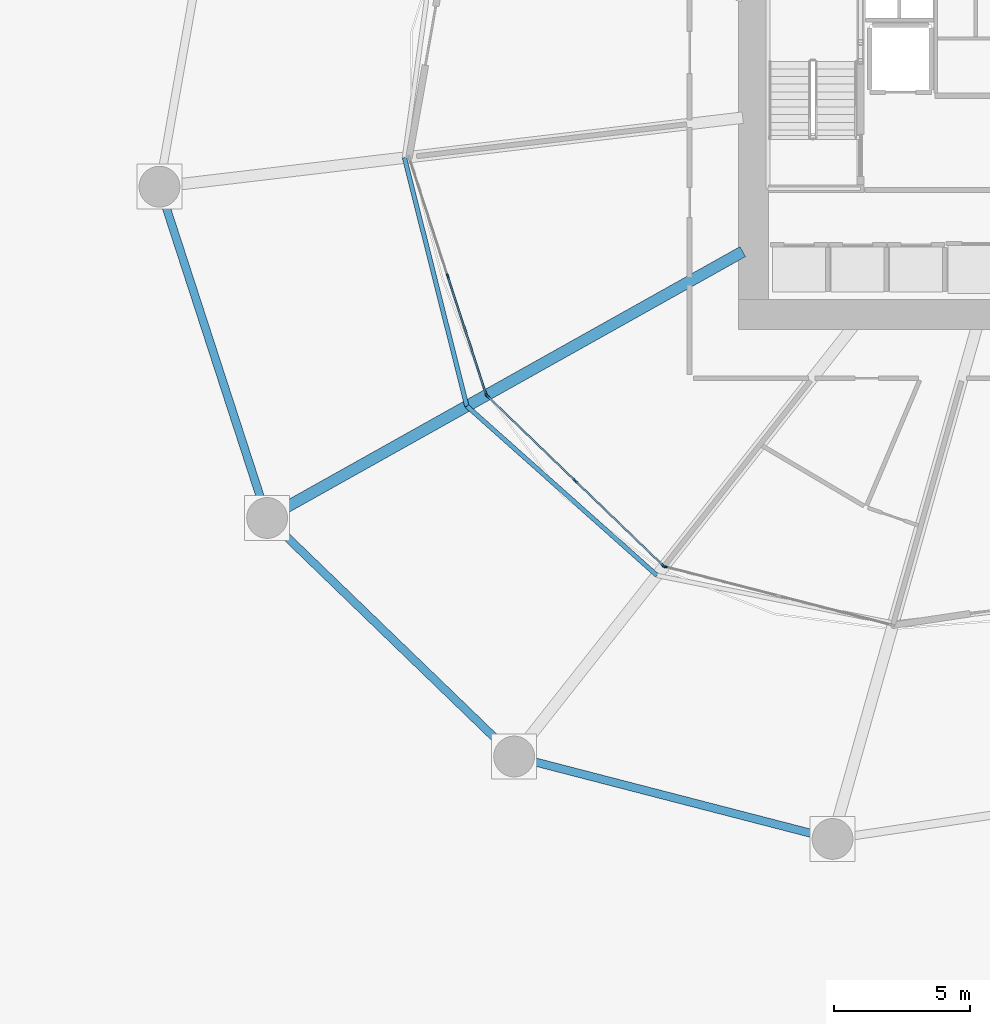
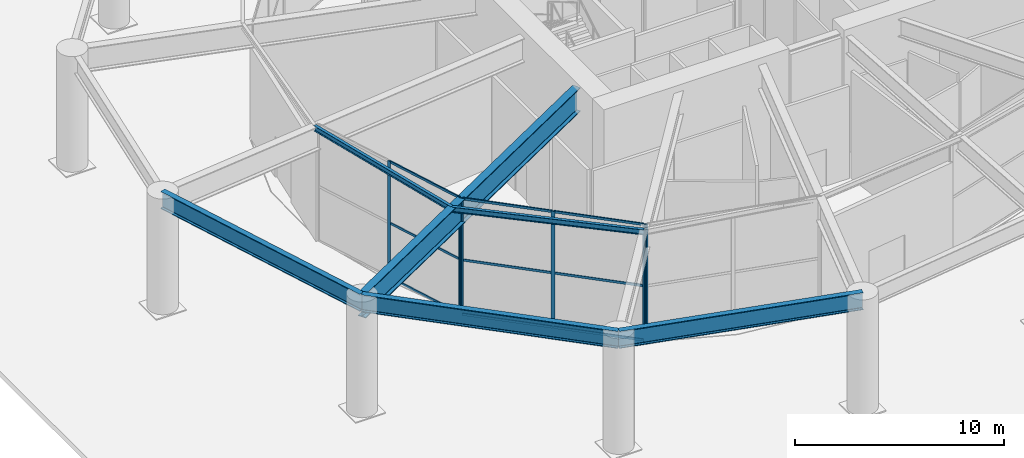
# One storey, part 6 of 28: 15 members, 6 beams, 3 elements without a shape of their own.
"""IFC4 building model written with IfcOpenShell, lengths in metres."""

from ifc_helpers import new_model, si_unit, direction, frame, origin, origin_2d, place, context, subcontext, project, spatial, rectangle, i_section, extrude, material, layer, layer_set, material_profile, profile_set, type_object, element, aggregate, save


model = new_model("IFC4")

# Units and contexts
model_context = context("Model", 3, precision=1e-05, world=origin(), true_north=direction((0.0, 1.0)))
body_context = subcontext(model_context, "Body", "Model", "MODEL_VIEW")
ifc_project = project(units=[si_unit("LENGTHUNIT", "METRE"), si_unit("AREAUNIT", "SQUARE_METRE"), si_unit("VOLUMEUNIT", "CUBIC_METRE"), si_unit("PLANEANGLEUNIT", "RADIAN"), si_unit("MASSUNIT", "GRAM", prefix="KILO")], contexts=[model_context])

# Site, building, storey
site_placement = place(None, origin())
site = spatial("IfcSite", under=ifc_project, at=site_placement, CompositionType="ELEMENT")
building_placement = place(site_placement, origin())
building = spatial("IfcBuilding", under=site, at=building_placement, Name="Kazma Halo Residences", CompositionType="ELEMENT")
storey_placement = place(building_placement, origin())
storey = spatial("IfcBuildingStorey", under=building, at=storey_placement, Name="L00", CompositionType="ELEMENT", Elevation=0.0)

# Beams
ifc_material_1 = material(Name="Steel S355", Category="steel")
ifc_material_profile_1 = material_profile(ifc_material_1, i_section(OverallWidth=0.1650390625, OverallDepth=0.31005859375, WebThickness=0.005859375, FlangeThickness=0.009765625, FilletRadius=0.011962890625, at=origin_2d()), Name="W310x38.7")
ifc_profile_set_1 = profile_set([ifc_material_profile_1], Name="Steel S355")
beam_type_1 = type_object("IfcBeamType", Name="BM-SEC-W310B", PredefinedType="JOIST", material=ifc_profile_set_1)
beam_1_placement = place(storey_placement, frame((24.4150390625, 39.20849609375, 6.64501953125), z_axis=(0.243737347729, -0.969841278417, 0.0), x_axis=(0.969841278417, 0.243737347729, 0.0)))
element("IfcBeam", 1, at=beam_1_placement, inside=storey, type_object=beam_type_1, Name="L00 circumferential floor joist 08", PredefinedType="JOIST", context=body_context, shape_type="SweptSolid", body=[
    extrude(i_section(OverallWidth=0.1650390625, OverallDepth=0.31005859375, WebThickness=0.005859375, FlangeThickness=0.009765625, FilletRadius=0.011962890625, at=origin_2d()), origin(), (0.0, 0.0, 1.0), 9.41552734375),
])
beam_2_placement = place(storey_placement, frame((26.7099609375, 30.076904296875, 6.64501953125), z_axis=(0.74675669848, -0.665097311133, 0.0), x_axis=(0.665097311133, 0.74675669848, 0.0)))
element("IfcBeam", 2, at=beam_2_placement, inside=storey, type_object=beam_type_1, Name="L00 circumferential floor joist 09", PredefinedType="JOIST", context=body_context, shape_type="SweptSolid", body=[
    extrude(i_section(OverallWidth=0.1650390625, OverallDepth=0.31005859375, WebThickness=0.005859375, FlangeThickness=0.009765625, FilletRadius=0.011962890625, at=origin_2d()), origin(), (0.0, 0.0, 1.0), 9.35498046875),
])
ifc_material_profile_2 = material_profile(ifc_material_1, i_section(OverallWidth=0.419921875, OverallDepth=1.39990234375, WebThickness=0.02587890625, FlangeThickness=0.048095703125, FilletRadius=0.02392578125, at=origin_2d()), Name="PG1400x580")
ifc_profile_set_2 = profile_set([ifc_material_profile_2], Name="Steel S355")
beam_type_2 = type_object("IfcBeamType", Name="BM-TRANS-PG1400", PredefinedType="BEAM", material=ifc_profile_set_2)
beam_3_placement = place(storey_placement, frame((36.85009765625, 35.755615234375, 6.10009765625), z_axis=(-0.872498744017, -0.488616354299, 0.0), x_axis=(0.488616354299, -0.872498744017, 0.0)))
element("IfcBeam", 3, at=beam_3_placement, inside=storey, type_object=beam_type_2, Name="L00 lobe radial plate transfer girder 09", PredefinedType="BEAM", context=body_context, shape_type="SweptSolid", body=[
    extrude(i_section(OverallWidth=0.419921875, OverallDepth=1.39990234375, WebThickness=0.02587890625, FlangeThickness=0.048095703125, FilletRadius=0.02392578125, at=origin_2d()), origin(), (0.0, 0.0, 1.0), 20.037841796875),
])
ifc_material_profile_3 = material_profile(ifc_material_1, i_section(OverallWidth=0.300048828125, OverallDepth=1.0, WebThickness=0.01904296875, FlangeThickness=0.0400390625, FilletRadius=0.02587890625, at=origin_2d()), Name="W1000x371")
ifc_profile_set_3 = profile_set([ifc_material_profile_3], Name="Steel S355")
beam_type_3 = type_object("IfcBeamType", Name="BM-TRANS-W1000B", PredefinedType="BEAM", material=ifc_profile_set_3)
beam_4_placement = place(storey_placement, frame((15.410400390625, 38.142822265625, 6.300048828125), z_axis=(0.3090114866, -0.951058305862, 0.0), x_axis=(0.951058305862, 0.3090114866, 0.0)))
element("IfcBeam", 4, at=beam_4_placement, inside=storey, type_object=beam_type_3, Name="L00 perimeter ring beam 08", PredefinedType="BEAM", context=body_context, shape_type="SweptSolid", body=[
    extrude(i_section(OverallWidth=0.300048828125, OverallDepth=1.0, WebThickness=0.01904296875, FlangeThickness=0.0400390625, FilletRadius=0.02587890625, at=origin_2d()), origin(), (0.0, 0.0, 1.0), 12.8046875),
])
beam_5_placement = place(storey_placement, frame((19.3671875, 25.96484375, 6.300048828125), z_axis=(0.719339467226, -0.694658715407, 0.0), x_axis=(0.694658715407, 0.719339467226, 0.0)))
element("IfcBeam", 5, at=beam_5_placement, inside=storey, type_object=beam_type_3, Name="L00 perimeter ring beam 09", PredefinedType="BEAM", context=body_context, shape_type="SweptSolid", body=[
    extrude(i_section(OverallWidth=0.300048828125, OverallDepth=1.0, WebThickness=0.01904296875, FlangeThickness=0.0400390625, FilletRadius=0.02587890625, at=origin_2d()), origin(), (0.0, 0.0, 1.0), 12.6220703125),
])
beam_6_placement = place(storey_placement, frame((28.44677734375, 17.19677734375, 6.300048828125), z_axis=(0.968123781445, -0.250472241578, 0.0), x_axis=(0.250472241578, 0.968123781445, 0.0)))
element("IfcBeam", 6, at=beam_6_placement, inside=storey, type_object=beam_type_3, Name="L00 perimeter ring beam 10", PredefinedType="BEAM", context=body_context, shape_type="SweptSolid", body=[
    extrude(i_section(OverallWidth=0.300048828125, OverallDepth=1.0, WebThickness=0.01904296875, FlangeThickness=0.0400390625, FilletRadius=0.02587890625, at=origin_2d()), origin(), (0.0, 0.0, 1.0), 12.08935546875),
])

# Curtain wall, members
ifc_material_2 = material(Name="Aluminium AW-6063 T6 and Triple-Silver Low-E Glass", Category="aluminium")
ifc_layer = layer(ifc_material_2, 0.179931640625)
ifc_layer_set = layer_set([ifc_layer], Name="Aluminium AW-6063 T6 and Triple-Silver Low-E Glass")
curtain_wall_type = type_object("IfcCurtainWallType", Name="CW-SYS-1", PredefinedType="NOTDEFINED", material=ifc_layer_set)
curtain_wall_1_placement = place(storey_placement, origin())
curtain_wall_1 = element("IfcCurtainWall", 7, at=curtain_wall_1_placement, inside=storey, type_object=curtain_wall_type, Name="L00 lobby unitised curtain wall 08", PredefinedType="NOTDEFINED")
ifc_material_3 = material(Name="Aluminium AW-6063 T6", Category="aluminium")
ifc_material_profile_4 = material_profile(ifc_material_3, rectangle(XDim=0.06494140625, YDim=0.179931640625, at=origin_2d()), Name="CWM-65x180")
ifc_profile_set_4 = profile_set([ifc_material_profile_4], Name="Aluminium AW-6063 T6")
member_type_1 = type_object("IfcMemberType", Name="CW-SYS-1-MUL", PredefinedType="MULLION", material=ifc_profile_set_4)
member_1_placement = place(storey_placement, frame((26.0078125, 34.854248046875, 0.0), z_axis=(0.0, 0.0, 1.0), x_axis=(0.951057232628, 0.309014789719, 0.0)))
member_1 = element("IfcMember", 8, at=member_1_placement, type_object=member_type_1, Name="CWS-1 mullion 2", PredefinedType="MULLION", context=body_context, shape_type="SweptSolid", body=[
    extrude(rectangle(XDim=0.06494140625, YDim=0.179931640625, at=origin_2d()), origin(), (0.0, 0.0, 1.0), 6.800048828125),
])
member_2_placement = place(storey_placement, frame((27.4189453125, 30.5107421875, 0.0), z_axis=(0.0, 0.0, 1.0), x_axis=(0.951057232628, 0.309014789719, 0.0)))
member_2 = element("IfcMember", 9, at=member_2_placement, type_object=member_type_1, Name="CWS-1 mullion 3", PredefinedType="MULLION", context=body_context, shape_type="SweptSolid", body=[
    extrude(rectangle(XDim=0.06494140625, YDim=0.179931640625, at=origin_2d()), origin(), (0.0, 0.0, 1.0), 6.800048828125),
])

curtain_wall_2_placement = place(storey_placement, origin())
curtain_wall_2 = element("IfcCurtainWall", 10, at=curtain_wall_2_placement, inside=storey, type_object=curtain_wall_type, Name="L00 lobby unitised curtain wall 09", PredefinedType="NOTDEFINED")
member_3_placement = place(storey_placement, frame((27.452392578125, 30.457275390625, 0.0), z_axis=(0.0, 0.0, 1.0), x_axis=(0.694293926432, 0.719691561517, 0.0)))
member_3 = element("IfcMember", 11, at=member_3_placement, type_object=member_type_1, Name="CWS-1 mullion 1", PredefinedType="MULLION", context=body_context, shape_type="SweptSolid", body=[
    extrude(rectangle(XDim=0.06494140625, YDim=0.179931640625, at=origin_2d()), origin(), (0.0, 0.0, 1.0), 6.800048828125),
])
member_4_placement = place(storey_placement, frame((30.692138671875, 27.33203125, 0.0), z_axis=(0.0, 0.0, 1.0), x_axis=(0.694293926432, 0.719691561517, 0.0)))
member_4 = element("IfcMember", 12, at=member_4_placement, type_object=member_type_1, Name="CWS-1 mullion 2", PredefinedType="MULLION", context=body_context, shape_type="SweptSolid", body=[
    extrude(rectangle(XDim=0.06494140625, YDim=0.179931640625, at=origin_2d()), origin(), (0.0, 0.0, 1.0), 6.800048828125),
])
member_5_placement = place(storey_placement, frame((33.931640625, 24.20654296875, 0.0), z_axis=(0.0, 0.0, 1.0), x_axis=(0.694293926432, 0.719691561517, 0.0)))
member_5 = element("IfcMember", 13, at=member_5_placement, type_object=member_type_1, Name="CWS-1 mullion 3", PredefinedType="MULLION", context=body_context, shape_type="SweptSolid", body=[
    extrude(rectangle(XDim=0.06494140625, YDim=0.179931640625, at=origin_2d()), origin(), (0.0, 0.0, 1.0), 6.800048828125),
])

# Curtain wall, member
curtain_wall_3_placement = place(storey_placement, origin())
curtain_wall_3 = element("IfcCurtainWall", 14, at=curtain_wall_3_placement, inside=storey, type_object=curtain_wall_type, Name="L00 lobby unitised curtain wall 10", PredefinedType="NOTDEFINED")
member_6_placement = place(storey_placement, frame((33.986572265625, 24.176025390625, 0.0), z_axis=(0.0, 0.0, 1.0), x_axis=(0.24934686039, 0.968414241538, 0.0)))
member_6 = element("IfcMember", 15, at=member_6_placement, type_object=member_type_1, Name="CWS-1 mullion 1", PredefinedType="MULLION", context=body_context, shape_type="SweptSolid", body=[
    extrude(rectangle(XDim=0.06494140625, YDim=0.179931640625, at=origin_2d()), origin(), (0.0, 0.0, 1.0), 6.800048828125),
])
aggregate(curtain_wall_3, [member_6])

# Member
ifc_material_profile_5 = material_profile(ifc_material_3, rectangle(XDim=0.06494140625, YDim=0.135009765625, at=origin_2d()), Name="CWT-65x135")
ifc_profile_set_5 = profile_set([ifc_material_profile_5], Name="Aluminium AW-6063 T6")
member_type_2 = type_object("IfcMemberType", Name="CW-SYS-1-TRN", PredefinedType="USERDEFINED", material=ifc_profile_set_5)
member_7_placement = place(storey_placement, frame((26.017822265625, 34.823486328125, 0.032470703125), z_axis=(0.308979396416, -0.951068731791, 0.0), x_axis=(0.951068731791, 0.308979396416, 0.0)))
member_7 = element("IfcMember", 16, at=member_7_placement, type_object=member_type_2, Name="CWS-1 transom 2.1", ObjectType="TRANSOM", PredefinedType="USERDEFINED", context=body_context, shape_type="SweptSolid", body=[
    extrude(rectangle(XDim=0.06494140625, YDim=0.135009765625, at=origin_2d()), origin(), (0.0, 0.0, 1.0), 4.502197265625),
])

member_8_placement = place(storey_placement, frame((26.017822265625, 34.823486328125, 3.199951171875), z_axis=(0.308979396416, -0.951068731791, 0.0), x_axis=(0.951068731791, 0.308979396416, 0.0)))
member_8 = element("IfcMember", 17, at=member_8_placement, type_object=member_type_2, Name="CWS-1 transom 2.2", ObjectType="TRANSOM", PredefinedType="USERDEFINED", context=body_context, shape_type="SweptSolid", body=[
    extrude(rectangle(XDim=0.06494140625, YDim=0.135009765625, at=origin_2d()), origin(), (0.0, 0.0, 1.0), 4.502197265625),
])

member_9_placement = place(storey_placement, frame((26.017822265625, 34.823486328125, 6.767578125), z_axis=(0.308979396416, -0.951068731791, 0.0), x_axis=(0.951068731791, 0.308979396416, 0.0)))
member_9 = element("IfcMember", 18, at=member_9_placement, type_object=member_type_2, Name="CWS-1 transom 2.3", ObjectType="TRANSOM", PredefinedType="USERDEFINED", context=body_context, shape_type="SweptSolid", body=[
    extrude(rectangle(XDim=0.06494140625, YDim=0.135009765625, at=origin_2d()), origin(), (0.0, 0.0, 1.0), 4.502197265625),
])

aggregate(curtain_wall_1, [member_1, member_2, member_7, member_8, member_9])

member_10_placement = place(storey_placement, frame((27.475830078125, 30.4345703125, 0.032470703125), z_axis=(0.719704828407, -0.69428017397, 0.0), x_axis=(0.69428017397, 0.719704828407, 0.0)))
member_10 = element("IfcMember", 19, at=member_10_placement, type_object=member_type_2, Name="CWS-1 transom 1.1", ObjectType="TRANSOM", PredefinedType="USERDEFINED", context=body_context, shape_type="SweptSolid", body=[
    extrude(rectangle(XDim=0.06494140625, YDim=0.135009765625, at=origin_2d()), origin(), (0.0, 0.0, 1.0), 4.436279296875),
])

member_11_placement = place(storey_placement, frame((27.475830078125, 30.4345703125, 3.199951171875), z_axis=(0.719704828407, -0.69428017397, 0.0), x_axis=(0.69428017397, 0.719704828407, 0.0)))
member_11 = element("IfcMember", 20, at=member_11_placement, type_object=member_type_2, Name="CWS-1 transom 1.2", ObjectType="TRANSOM", PredefinedType="USERDEFINED", context=body_context, shape_type="SweptSolid", body=[
    extrude(rectangle(XDim=0.06494140625, YDim=0.135009765625, at=origin_2d()), origin(), (0.0, 0.0, 1.0), 4.436279296875),
])

member_12_placement = place(storey_placement, frame((27.475830078125, 30.4345703125, 6.767578125), z_axis=(0.719704828407, -0.69428017397, 0.0), x_axis=(0.69428017397, 0.719704828407, 0.0)))
member_12 = element("IfcMember", 21, at=member_12_placement, type_object=member_type_2, Name="CWS-1 transom 1.3", ObjectType="TRANSOM", PredefinedType="USERDEFINED", context=body_context, shape_type="SweptSolid", body=[
    extrude(rectangle(XDim=0.06494140625, YDim=0.135009765625, at=origin_2d()), origin(), (0.0, 0.0, 1.0), 4.436279296875),
])

member_13_placement = place(storey_placement, frame((30.715576171875, 27.309326171875, 0.032470703125), z_axis=(0.719678300168, -0.694307672626, 0.0), x_axis=(0.694307672626, 0.719678300168, 0.0)))
member_13 = element("IfcMember", 22, at=member_13_placement, type_object=member_type_2, Name="CWS-1 transom 2.1", ObjectType="TRANSOM", PredefinedType="USERDEFINED", context=body_context, shape_type="SweptSolid", body=[
    extrude(rectangle(XDim=0.06494140625, YDim=0.135009765625, at=origin_2d()), origin(), (0.0, 0.0, 1.0), 4.436279296875),
])

member_14_placement = place(storey_placement, frame((30.715576171875, 27.309326171875, 3.199951171875), z_axis=(0.719678300168, -0.694307672626, 0.0), x_axis=(0.694307672626, 0.719678300168, 0.0)))
member_14 = element("IfcMember", 23, at=member_14_placement, type_object=member_type_2, Name="CWS-1 transom 2.2", ObjectType="TRANSOM", PredefinedType="USERDEFINED", context=body_context, shape_type="SweptSolid", body=[
    extrude(rectangle(XDim=0.06494140625, YDim=0.135009765625, at=origin_2d()), origin(), (0.0, 0.0, 1.0), 4.436279296875),
])

member_15_placement = place(storey_placement, frame((30.715576171875, 27.309326171875, 6.767578125), z_axis=(0.719678300168, -0.694307672626, 0.0), x_axis=(0.694307672626, 0.719678300168, 0.0)))
member_15 = element("IfcMember", 24, at=member_15_placement, type_object=member_type_2, Name="CWS-1 transom 2.3", ObjectType="TRANSOM", PredefinedType="USERDEFINED", context=body_context, shape_type="SweptSolid", body=[
    extrude(rectangle(XDim=0.06494140625, YDim=0.135009765625, at=origin_2d()), origin(), (0.0, 0.0, 1.0), 4.436279296875),
])

aggregate(curtain_wall_2, [member_3, member_4, member_5, member_10, member_11, member_12, member_13, member_14, member_15])

save(model, "model.ifc")
